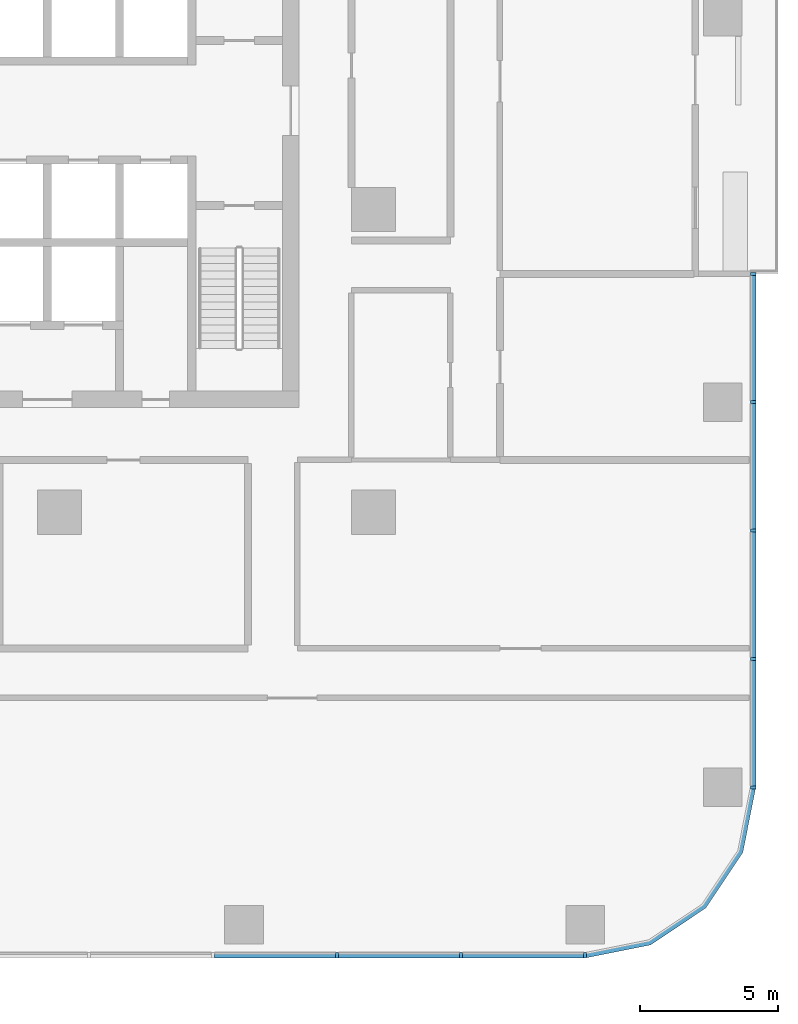
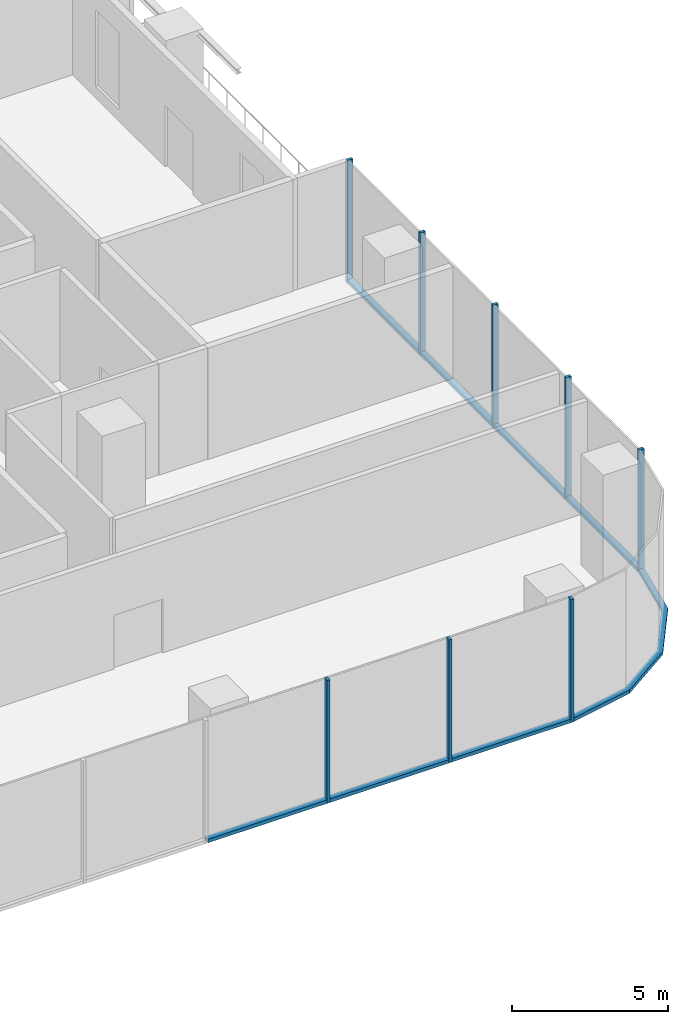
# One storey, part 3 of 15: 16 members, 3 elements without a shape of their own.
"""IFC4 building model written with IfcOpenShell, lengths in metres."""

import ifcopenshell
import ifcopenshell.guid

model = None  # the IFC model being written
_history = None  # IfcOwnerHistory: only IFC2X3 demands one
_inside = {}  # id of a spatial element -> (the spatial element, [elements in it])
_under = {}  # id of a project, library or spatial element -> (it, [spatial elements below it])
_declared = {}  # id of a project -> (the project, [libraries it declares])
_typed = {}  # id of a type object -> (the type object, [elements of that type])
_made_of = {}  # id of a material, layer set ... -> (it, [elements and type objects made of it])


def new_model(schema):
    """Start an empty IFC model of exactly this schema.

    Asked for "IFC4X3", IfcOpenShell would pick the latest addendum, in which some entities
    have other attributes; the version numbers below select the first issue.
    IFC2X3 requires an IfcOwnerHistory on every rooted entity: one is made here for all.
    """
    global model, _history
    if schema == "IFC4X3":
        model = ifcopenshell.file(schema_version=(4, 3, 0, 0))
    else:
        model = ifcopenshell.file(schema=schema)
    _inside.clear()
    _under.clear()
    _declared.clear()
    _typed.clear()
    _made_of.clear()
    _history = None
    if model.schema == "IFC2X3":
        org = make("IfcOrganization", Name="unknown")
        user = make(
            "IfcPersonAndOrganization",
            ThePerson=make("IfcPerson", FamilyName="unknown"),
            TheOrganization=org,
        )
        app = make(
            "IfcApplication",
            ApplicationDeveloper=org,
            Version="unknown",
            ApplicationFullName="unknown",
            ApplicationIdentifier="unknown",
        )
        _history = make(
            "IfcOwnerHistory",
            OwningUser=user,
            OwningApplication=app,
            ChangeAction="ADDED",
            CreationDate=0,
        )
    return model


def make(cls, **values):
    """One entity of the class cls with the attributes given. An attribute that is None is left unset."""
    return model.create_entity(
        cls, **{name: value for name, value in values.items() if value is not None}
    )


def rooted(cls, **values):
    """An entity with a GlobalId (a new one), such as an element, a storey or a relation."""
    return make(cls, GlobalId=ifcopenshell.guid.new(), OwnerHistory=_history, **values)


def si_unit(unit_type, name, prefix=None):
    """IfcSIUnit, for example si_unit("LENGTHUNIT", "METRE", prefix="MILLI")."""
    return make("IfcSIUnit", UnitType=unit_type, Prefix=prefix, Name=name)


def assignment(units):
    """IfcUnitAssignment: the units of a project."""
    return None if units is None else make("IfcUnitAssignment", Units=units)


def point(xyz):
    """IfcCartesianPoint."""
    return None if xyz is None else make("IfcCartesianPoint", Coordinates=xyz)


def direction(xyz):
    """IfcDirection."""
    return None if xyz is None else make("IfcDirection", DirectionRatios=xyz)


def frame(location, z_axis=None, x_axis=None):
    """IfcAxis2Placement3D, a coordinate frame: its origin and axes. An axis left out is left unset."""
    return make(
        "IfcAxis2Placement3D",
        Location=point(location),
        Axis=direction(z_axis),
        RefDirection=direction(x_axis),
    )


def frame_2d(location, x_axis=None):
    """IfcAxis2Placement2D, a coordinate frame in the plane: its origin and x axis."""
    return make(
        "IfcAxis2Placement2D", Location=point(location), RefDirection=direction(x_axis)
    )


def origin():
    """The frame at (0, 0, 0) with its axes left unset."""
    return frame((0.0, 0.0, 0.0))


def origin_2d():
    """The frame at (0, 0) in the plane with its x axis left unset."""
    return frame_2d((0.0, 0.0))


def place(relative_to, where):
    """IfcLocalPlacement: puts the frame where relative to a parent placement (None: the world)."""
    return make(
        "IfcLocalPlacement", PlacementRelTo=relative_to, RelativePlacement=where
    )


def context(
    kind, dimensions, precision=None, world=None, true_north=None, identifier=None
):
    """IfcGeometricRepresentationContext, for example the 3D "Model" context."""
    return make(
        "IfcGeometricRepresentationContext",
        ContextIdentifier=identifier,
        ContextType=kind,
        CoordinateSpaceDimension=dimensions,
        Precision=precision,
        WorldCoordinateSystem=world,
        TrueNorth=true_north,
    )


def subcontext(parent, identifier, kind, view, scale=None):
    """IfcGeometricRepresentationSubContext, for example "Body" below "Model"."""
    return make(
        "IfcGeometricRepresentationSubContext",
        ContextIdentifier=identifier,
        ContextType=kind,
        ParentContext=parent,
        TargetScale=scale,
        TargetView=view,
    )


def project(units=None, contexts=None):
    """IfcProject with its units and contexts."""
    return rooted(
        "IfcProject",
        Name="project",
        RepresentationContexts=contexts,
        UnitsInContext=assignment(units),
    )


def spatial(cls, under=None, at=None, **own):
    """A site, building, storey or space (cls), placed at a placement, below another one or the project."""
    s = rooted(cls, ObjectPlacement=at, **own)
    if under is not None:
        _under.setdefault(under.id(), (under, []))[1].append(s)
    return s


def polyline(points):
    """IfcPolyline through the points."""
    return make("IfcPolyline", Points=[point(p) for p in points])


def profile(cls, at=None, kind="AREA", **sizes):
    """A parametric profile (cls). Its sizes go by their IFC names, for example OverallWidth=200.0."""
    return make(cls, ProfileType=kind, Position=at, **sizes)


def rectangle(**sizes):
    """IfcRectangleProfileDef."""
    return profile("IfcRectangleProfileDef", **sizes)


def outline(outer, holes=None, kind="AREA"):
    """IfcArbitraryClosedProfileDef: a profile drawn as a closed curve; with holes, ...WithVoids."""
    if holes is None:
        return make("IfcArbitraryClosedProfileDef", ProfileType=kind, OuterCurve=outer)
    return make(
        "IfcArbitraryProfileDefWithVoids",
        ProfileType=kind,
        OuterCurve=outer,
        InnerCurves=holes,
    )


def extrude(swept, where, along, depth):
    """IfcExtrudedAreaSolid: the profile swept, set in the frame where, extruded along a direction by depth."""
    return make(
        "IfcExtrudedAreaSolid",
        SweptArea=swept,
        Position=where,
        ExtrudedDirection=direction(along),
        Depth=depth,
    )


def shape(context_of_items, identifier, shape_type, items):
    """IfcShapeRepresentation: the items that make up one representation, for example the "Body"."""
    return make(
        "IfcShapeRepresentation",
        ContextOfItems=context_of_items,
        RepresentationIdentifier=identifier,
        RepresentationType=shape_type,
        Items=items,
    )


def material(Name=None, Category=None):
    """IfcMaterial."""
    return make("IfcMaterial", Name=Name, Category=Category)


def material_profile(
    of_material, cross_section, Name=None, Category=None, Priority=None
):
    """IfcMaterialProfile: a cross section and its material."""
    return make(
        "IfcMaterialProfile",
        Name=Name,
        Material=of_material,
        Profile=cross_section,
        Priority=Priority,
        Category=Category,
    )


def profile_set(profiles, Name=None, composite=None):
    """IfcMaterialProfileSet."""
    return make(
        "IfcMaterialProfileSet",
        Name=Name,
        MaterialProfiles=profiles,
        CompositeProfile=composite,
    )


def made_of(thing, what):
    """Note that an element or type object is made of a material, layer set ...; save() writes the relation."""
    if what is not None:
        _made_of.setdefault(what.id(), (what, []))[1].append(thing)
    return thing


def type_object(cls, material=None, **own):
    """A type object (cls), such as IfcWallType, which elements share."""
    return made_of(rooted(cls, **own), material)


def element(
    cls,
    number,
    at=None,
    inside=None,
    cuts=None,
    type_object=None,
    material=None,
    context=None,
    identifier="Body",
    shape_type=None,
    held_by="IfcProductDefinitionShape",
    body=None,
    shapes=None,
    **own,
):
    """One element of the class cls, such as IfcWall. Its Tag is "e" and its number.

    at: its placement. inside: the storey or other place that contains it. cuts: it is an
    opening in that element (IfcRelVoidsElement). A single representation is given by context,
    identifier, shape_type and body (its items); several are given by shapes. held_by: the class
    of the entity that holds the representations. save() writes the other relations.
    """
    e = rooted(cls, Tag="e%d" % number, ObjectPlacement=at, **own)
    if body is not None:
        shapes = [shape(context, identifier, shape_type, body)]
    if shapes is not None:
        e.Representation = make(held_by, Representations=shapes)
    if inside is not None:
        _inside.setdefault(inside.id(), (inside, []))[1].append(e)
    if cuts is not None:
        rooted(
            "IfcRelVoidsElement", RelatingBuildingElement=cuts, RelatedOpeningElement=e
        )
    if type_object is not None:
        _typed.setdefault(type_object.id(), (type_object, []))[1].append(e)
    return made_of(e, material)


def aggregate(whole, parts):
    """IfcRelAggregates: a whole, such as a stair, and the parts it consists of."""
    return rooted("IfcRelAggregates", RelatingObject=whole, RelatedObjects=parts)


def save(model, path):
    """Write the relations noted so far, then the file.

    IfcRelAggregates (storeys below a building ...), IfcRelContainedInSpatialStructure (elements
    in a storey), IfcRelDefinesByType, IfcRelAssociatesMaterial and IfcRelDeclares: one each for
    every whole, place, type object, material and project.
    """
    for whole, parts in _under.values():
        aggregate(whole, parts)
    for where, things in _inside.values():
        rooted(
            "IfcRelContainedInSpatialStructure",
            RelatedElements=things,
            RelatingStructure=where,
        )
    for kind, things in _typed.values():
        rooted("IfcRelDefinesByType", RelatedObjects=things, RelatingType=kind)
    for what, things in _made_of.values():
        rooted("IfcRelAssociatesMaterial", RelatedObjects=things, RelatingMaterial=what)
    for by, libraries in _declared.values():
        rooted("IfcRelDeclares", RelatingContext=by, RelatedDefinitions=libraries)
    model.write(path)


model = new_model("IFC4")

# Units and contexts
model_context = context("Model", 3, precision=1e-05, world=origin(), true_north=direction((0.0, 1.0)))
body_context = subcontext(model_context, "Body", "Model", "MODEL_VIEW")
ifc_project = project(units=[si_unit("LENGTHUNIT", "METRE"), si_unit("AREAUNIT", "SQUARE_METRE"), si_unit("VOLUMEUNIT", "CUBIC_METRE"), si_unit("PLANEANGLEUNIT", "RADIAN"), si_unit("MASSUNIT", "GRAM", prefix="KILO")], contexts=[model_context])

# Site, building, storey
site_placement = place(None, origin())
site = spatial("IfcSite", under=ifc_project, at=site_placement, CompositionType="ELEMENT")
building_placement = place(site_placement, origin())
building = spatial("IfcBuilding", under=site, at=building_placement, Name="Mopane Tessera Tower", CompositionType="ELEMENT")
storey_placement = place(building_placement, frame((0.0, 0.0, 69.39990234375)))
storey = spatial("IfcBuildingStorey", under=building, at=storey_placement, Name="L13", CompositionType="ELEMENT", Elevation=69.39990234375)

# Curtain wall, members
ifc_material_1 = material(Name="Aluminium frame", Category="aluminium")
curtain_wall_type = type_object("IfcCurtainWallType", Name="Lower tower unitised wall", PredefinedType="NOTDEFINED", material=ifc_material_1)
curtain_wall_1_placement = place(storey_placement, origin())
curtain_wall_1 = element("IfcCurtainWall", 1, at=curtain_wall_1_placement, inside=storey, type_object=curtain_wall_type, Name="e:cw:L13:S:5", PredefinedType="NOTDEFINED")
ifc_material_2 = material(Name="Aluminium frame", Category="aluminium")
ifc_material_profile_1 = material_profile(ifc_material_2, rectangle(XDim=0.110107421875, YDim=0.199951171875, at=origin_2d()))
ifc_profile_set_1 = profile_set([ifc_material_profile_1], Name="Aluminium frame")
member_type_1 = type_object("IfcMemberType", Name="Aluminium mullion 110 x 200", PredefinedType="MULLION", material=ifc_profile_set_1)
member_1_placement = place(storey_placement, frame((15.78173828125, -27.10009765625, -0.449951171875), z_axis=(0.0, 0.0, 1.0), x_axis=(1.0, 0.0, 0.0)))
member_1 = element("IfcMember", 2, at=member_1_placement, type_object=member_type_1, Name="e:cw:L13:S:5:mu9", PredefinedType="MULLION", context=body_context, shape_type="SweptSolid", body=[
    extrude(rectangle(XDim=0.110107421875, YDim=0.199951171875, at=origin_2d()), origin(), (0.0, 0.0, 1.0), 4.800048828125),
])
member_2_placement = place(storey_placement, frame((20.291015625, -27.10009765625, -0.449951171875), z_axis=(0.0, 0.0, 1.0), x_axis=(1.0, 0.0, 0.0)))
member_2 = element("IfcMember", 3, at=member_2_placement, type_object=member_type_1, Name="e:cw:L13:S:5:mu10", PredefinedType="MULLION", context=body_context, shape_type="SweptSolid", body=[
    extrude(rectangle(XDim=0.110107421875, YDim=0.199951171875, at=origin_2d()), origin(), (0.0, 0.0, 1.0), 4.800048828125),
])
member_3_placement = place(storey_placement, frame((24.800048828125, -27.10009765625, -0.449951171875), z_axis=(0.0, 0.0, 1.0), x_axis=(1.0, 0.0, 0.0)))
member_3 = element("IfcMember", 4, at=member_3_placement, type_object=member_type_1, Name="e:cw:L13:S:5:mu11", PredefinedType="MULLION", context=body_context, shape_type="SweptSolid", body=[
    extrude(rectangle(XDim=0.110107421875, YDim=0.199951171875, at=origin_2d()), origin(), (0.0, 0.0, 1.0), 4.800048828125),
])

curtain_wall_2_placement = place(storey_placement, origin())
curtain_wall_2 = element("IfcCurtainWall", 5, at=curtain_wall_2_placement, inside=storey, type_object=curtain_wall_type, Name="e:cw:L13:E:0", PredefinedType="NOTDEFINED")
member_4_placement = place(storey_placement, frame((30.89990234375, -21.0, -0.449951171875), z_axis=(0.0, 0.0, 1.0), x_axis=(0.0, 1.0, 0.0)))
member_4 = element("IfcMember", 6, at=member_4_placement, type_object=member_type_1, Name="e:cw:L13:E:0:mu0", PredefinedType="MULLION", context=body_context, shape_type="SweptSolid", body=[
    extrude(rectangle(XDim=0.110107421875, YDim=0.199951171875, at=origin_2d()), origin(), (0.0, 0.0, 1.0), 4.800048828125),
])
member_5_placement = place(storey_placement, frame((30.89990234375, -16.333251953125, -0.449951171875), z_axis=(0.0, 0.0, 1.0), x_axis=(0.0, 1.0, 0.0)))
member_5 = element("IfcMember", 7, at=member_5_placement, type_object=member_type_1, Name="e:cw:L13:E:0:mu1", PredefinedType="MULLION", context=body_context, shape_type="SweptSolid", body=[
    extrude(rectangle(XDim=0.110107421875, YDim=0.199951171875, at=origin_2d()), origin(), (0.0, 0.0, 1.0), 4.800048828125),
])
member_6_placement = place(storey_placement, frame((30.89990234375, -11.666748046875, -0.449951171875), z_axis=(0.0, 0.0, 1.0), x_axis=(0.0, 1.0, 0.0)))
member_6 = element("IfcMember", 8, at=member_6_placement, type_object=member_type_1, Name="e:cw:L13:E:0:mu2", PredefinedType="MULLION", context=body_context, shape_type="SweptSolid", body=[
    extrude(rectangle(XDim=0.110107421875, YDim=0.199951171875, at=origin_2d()), origin(), (0.0, 0.0, 1.0), 4.800048828125),
])
member_7_placement = place(storey_placement, frame((30.89990234375, -7.0, -0.449951171875), z_axis=(0.0, 0.0, 1.0), x_axis=(0.0, 1.0, 0.0)))
member_7 = element("IfcMember", 9, at=member_7_placement, type_object=member_type_1, Name="e:cw:L13:E:0:mu3", PredefinedType="MULLION", context=body_context, shape_type="SweptSolid", body=[
    extrude(rectangle(XDim=0.110107421875, YDim=0.199951171875, at=origin_2d()), origin(), (0.0, 0.0, 1.0), 4.800048828125),
])
member_8_placement = place(storey_placement, frame((30.89990234375, -2.333251953125, -0.449951171875), z_axis=(0.0, 0.0, 1.0), x_axis=(0.0, 1.0, 0.0)))
member_8 = element("IfcMember", 10, at=member_8_placement, type_object=member_type_1, Name="e:cw:L13:E:0:mu4", PredefinedType="MULLION", context=body_context, shape_type="SweptSolid", body=[
    extrude(rectangle(XDim=0.110107421875, YDim=0.199951171875, at=origin_2d()), origin(), (0.0, 0.0, 1.0), 4.800048828125),
])

# Member
ifc_material_3 = material(Name="Aluminium frame", Category="aluminium")
ifc_material_profile_2 = material_profile(ifc_material_3, rectangle(XDim=0.199951171875, YDim=0.139892578125, at=origin_2d()))
ifc_profile_set_2 = profile_set([ifc_material_profile_2], Name="Aluminium frame")
member_type_2 = type_object("IfcMemberType", Name="Aluminium transom 200 x 140", PredefinedType="USERDEFINED", material=ifc_profile_set_2)
member_9_placement = place(storey_placement, frame((11.32763671875, -27.10009765625, -0.3798828125), z_axis=(1.0, 0.0, 0.0), x_axis=(0.0, 1.0, 0.0)))
member_9 = element("IfcMember", 11, at=member_9_placement, type_object=member_type_2, Name="e:cw:L13:S:5:tr8", ObjectType="TRANSOM", PredefinedType="USERDEFINED", context=body_context, shape_type="SweptSolid", body=[
    extrude(rectangle(XDim=0.199951171875, YDim=0.139892578125, at=origin_2d()), origin(), (0.0, 0.0, 1.0), 4.399169921875),
])

member_10_placement = place(storey_placement, frame((15.8369140625, -27.10009765625, -0.3798828125), z_axis=(1.0, 0.0, 0.0), x_axis=(0.0, 1.0, 0.0)))
member_10 = element("IfcMember", 12, at=member_10_placement, type_object=member_type_2, Name="e:cw:L13:S:5:tr9", ObjectType="TRANSOM", PredefinedType="USERDEFINED", context=body_context, shape_type="SweptSolid", body=[
    extrude(rectangle(XDim=0.199951171875, YDim=0.139892578125, at=origin_2d()), origin(), (0.0, 0.0, 1.0), 4.39892578125),
])

member_11_placement = place(storey_placement, frame((20.345947265625, -27.10009765625, -0.3798828125), z_axis=(1.0, 0.0, 0.0), x_axis=(0.0, 1.0, 0.0)))
member_11 = element("IfcMember", 13, at=member_11_placement, type_object=member_type_2, Name="e:cw:L13:S:5:tr10", ObjectType="TRANSOM", PredefinedType="USERDEFINED", context=body_context, shape_type="SweptSolid", body=[
    extrude(rectangle(XDim=0.199951171875, YDim=0.139892578125, at=origin_2d()), origin(), (0.0, 0.0, 1.0), 4.399169921875),
])

aggregate(curtain_wall_1, [member_1, member_2, member_3, member_9, member_10, member_11])

# Curtain wall, member
curtain_wall_3_placement = place(storey_placement, origin())
curtain_wall_3 = element("IfcCurtainWall", 14, at=curtain_wall_3_placement, inside=storey, type_object=curtain_wall_type, Name="e:cw:L13:CS", PredefinedType="NOTDEFINED")
member_12_placement = place(storey_placement, frame((0.0, 0.0, -0.449951171875)))
member_12 = element("IfcMember", 15, at=member_12_placement, type_object=member_type_2, Name="e:cw:L13:CS:tr", ObjectType="TRANSOM", PredefinedType="USERDEFINED", context=body_context, shape_type="SweptSolid", body=[
    extrude(outline(polyline([(24.800048828125, -27.0), (27.09619140625, -26.543212890625), (29.042724609375, -25.24267578125), (30.34326171875, -23.296142578125), (30.800048828125, -21.0), (31.0, -21.0), (30.528076171875, -23.37255859375), (29.18408203125, -25.384033203125), (27.172607421875, -26.72802734375), (24.800048828125, -27.199951171875), (24.800048828125, -27.0)])), origin(), (0.0, 0.0, 1.0), 0.14013671875),
])
aggregate(curtain_wall_3, [member_12])

# Member
member_13_placement = place(storey_placement, frame((30.89990234375, -20.945068359375, -0.3798828125), z_axis=(0.0, 1.0, 0.0), x_axis=(-1.0, 0.0, 0.0)))
member_13 = element("IfcMember", 16, at=member_13_placement, type_object=member_type_2, Name="e:cw:L13:E:0:tr0", ObjectType="TRANSOM", PredefinedType="USERDEFINED", context=body_context, shape_type="SweptSolid", body=[
    extrude(rectangle(XDim=0.199951171875, YDim=0.139892578125, at=origin_2d()), origin(), (0.0, 0.0, 1.0), 4.556640625),
])

member_14_placement = place(storey_placement, frame((30.89990234375, -16.2783203125, -0.3798828125), z_axis=(0.0, 1.0, 0.0), x_axis=(-1.0, 0.0, 0.0)))
member_14 = element("IfcMember", 17, at=member_14_placement, type_object=member_type_2, Name="e:cw:L13:E:0:tr1", ObjectType="TRANSOM", PredefinedType="USERDEFINED", context=body_context, shape_type="SweptSolid", body=[
    extrude(rectangle(XDim=0.199951171875, YDim=0.139892578125, at=origin_2d()), origin(), (0.0, 0.0, 1.0), 4.556640625),
])

member_15_placement = place(storey_placement, frame((30.89990234375, -11.611572265625, -0.3798828125), z_axis=(0.0, 1.0, 0.0), x_axis=(-1.0, 0.0, 0.0)))
member_15 = element("IfcMember", 18, at=member_15_placement, type_object=member_type_2, Name="e:cw:L13:E:0:tr2", ObjectType="TRANSOM", PredefinedType="USERDEFINED", context=body_context, shape_type="SweptSolid", body=[
    extrude(rectangle(XDim=0.199951171875, YDim=0.139892578125, at=origin_2d()), origin(), (0.0, 0.0, 1.0), 4.556640625),
])

member_16_placement = place(storey_placement, frame((30.89990234375, -6.945068359375, -0.3798828125), z_axis=(0.0, 1.0, 0.0), x_axis=(-1.0, 0.0, 0.0)))
member_16 = element("IfcMember", 19, at=member_16_placement, type_object=member_type_2, Name="e:cw:L13:E:0:tr3", ObjectType="TRANSOM", PredefinedType="USERDEFINED", context=body_context, shape_type="SweptSolid", body=[
    extrude(rectangle(XDim=0.199951171875, YDim=0.139892578125, at=origin_2d()), origin(), (0.0, 0.0, 1.0), 4.556640625),
])

aggregate(curtain_wall_2, [member_4, member_5, member_6, member_7, member_8, member_13, member_14, member_15, member_16])

save(model, "model.ifc")
